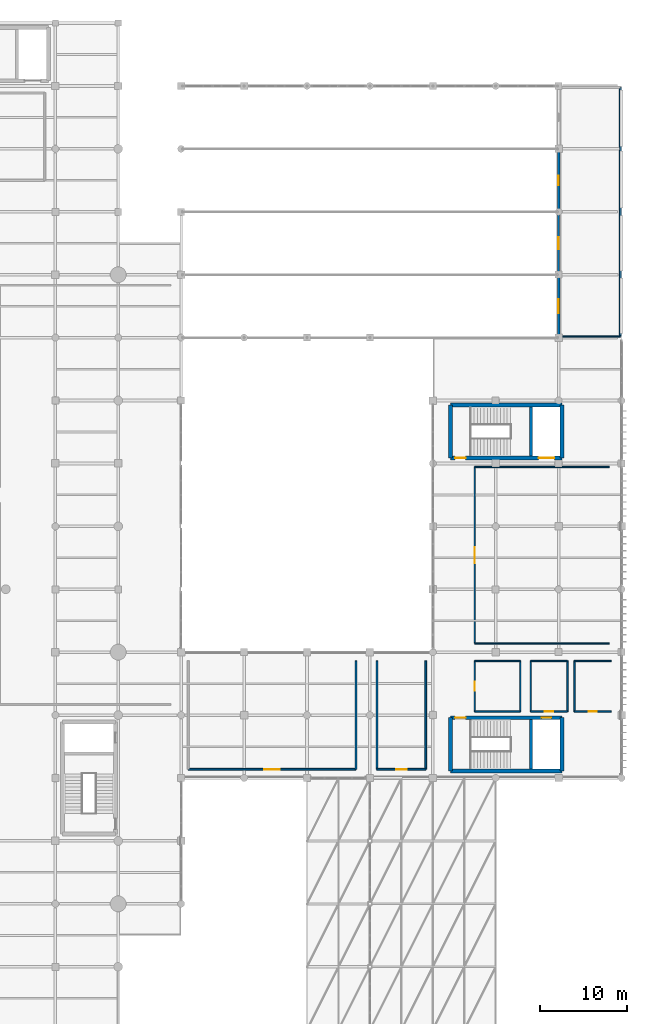
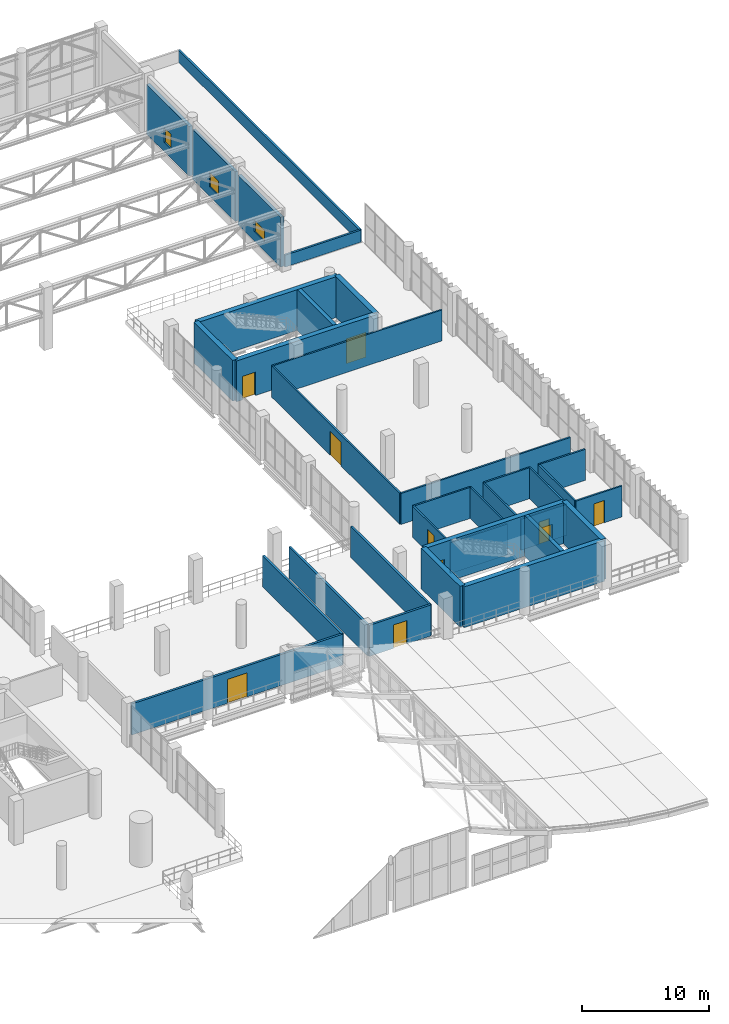
# One storey, part 137 of 153: 34 walls, 10 doors, 3 windows, 13 openings.
"""IFC4 building model written with IfcOpenShell, lengths in metres."""

import ifcopenshell
import ifcopenshell.guid

model = None  # the IFC model being written
_history = None  # IfcOwnerHistory: only IFC2X3 demands one
_inside = {}  # id of a spatial element -> (the spatial element, [elements in it])
_under = {}  # id of a project, library or spatial element -> (it, [spatial elements below it])
_declared = {}  # id of a project -> (the project, [libraries it declares])
_typed = {}  # id of a type object -> (the type object, [elements of that type])
_made_of = {}  # id of a material, layer set ... -> (it, [elements and type objects made of it])


def new_model(schema):
    """Start an empty IFC model of exactly this schema.

    Asked for "IFC4X3", IfcOpenShell would pick the latest addendum, in which some entities
    have other attributes; the version numbers below select the first issue.
    IFC2X3 requires an IfcOwnerHistory on every rooted entity: one is made here for all.
    """
    global model, _history
    if schema == "IFC4X3":
        model = ifcopenshell.file(schema_version=(4, 3, 0, 0))
    else:
        model = ifcopenshell.file(schema=schema)
    _inside.clear()
    _under.clear()
    _declared.clear()
    _typed.clear()
    _made_of.clear()
    _history = None
    if model.schema == "IFC2X3":
        org = make("IfcOrganization", Name="unknown")
        user = make(
            "IfcPersonAndOrganization",
            ThePerson=make("IfcPerson", FamilyName="unknown"),
            TheOrganization=org,
        )
        app = make(
            "IfcApplication",
            ApplicationDeveloper=org,
            Version="unknown",
            ApplicationFullName="unknown",
            ApplicationIdentifier="unknown",
        )
        _history = make(
            "IfcOwnerHistory",
            OwningUser=user,
            OwningApplication=app,
            ChangeAction="ADDED",
            CreationDate=0,
        )
    return model


def make(cls, **values):
    """One entity of the class cls with the attributes given. An attribute that is None is left unset."""
    return model.create_entity(
        cls, **{name: value for name, value in values.items() if value is not None}
    )


def rooted(cls, **values):
    """An entity with a GlobalId (a new one), such as an element, a storey or a relation."""
    return make(cls, GlobalId=ifcopenshell.guid.new(), OwnerHistory=_history, **values)


def si_unit(unit_type, name, prefix=None):
    """IfcSIUnit, for example si_unit("LENGTHUNIT", "METRE", prefix="MILLI")."""
    return make("IfcSIUnit", UnitType=unit_type, Prefix=prefix, Name=name)


def assignment(units):
    """IfcUnitAssignment: the units of a project."""
    return None if units is None else make("IfcUnitAssignment", Units=units)


def point(xyz):
    """IfcCartesianPoint."""
    return None if xyz is None else make("IfcCartesianPoint", Coordinates=xyz)


def direction(xyz):
    """IfcDirection."""
    return None if xyz is None else make("IfcDirection", DirectionRatios=xyz)


def frame(location, z_axis=None, x_axis=None):
    """IfcAxis2Placement3D, a coordinate frame: its origin and axes. An axis left out is left unset."""
    return make(
        "IfcAxis2Placement3D",
        Location=point(location),
        Axis=direction(z_axis),
        RefDirection=direction(x_axis),
    )


def frame_2d(location, x_axis=None):
    """IfcAxis2Placement2D, a coordinate frame in the plane: its origin and x axis."""
    return make(
        "IfcAxis2Placement2D", Location=point(location), RefDirection=direction(x_axis)
    )


def origin():
    """The frame at (0, 0, 0) with its axes left unset."""
    return frame((0.0, 0.0, 0.0))


def place(relative_to, where):
    """IfcLocalPlacement: puts the frame where relative to a parent placement (None: the world)."""
    return make(
        "IfcLocalPlacement", PlacementRelTo=relative_to, RelativePlacement=where
    )


def context(
    kind, dimensions, precision=None, world=None, true_north=None, identifier=None
):
    """IfcGeometricRepresentationContext, for example the 3D "Model" context."""
    return make(
        "IfcGeometricRepresentationContext",
        ContextIdentifier=identifier,
        ContextType=kind,
        CoordinateSpaceDimension=dimensions,
        Precision=precision,
        WorldCoordinateSystem=world,
        TrueNorth=true_north,
    )


def subcontext(parent, identifier, kind, view, scale=None):
    """IfcGeometricRepresentationSubContext, for example "Body" below "Model"."""
    return make(
        "IfcGeometricRepresentationSubContext",
        ContextIdentifier=identifier,
        ContextType=kind,
        ParentContext=parent,
        TargetScale=scale,
        TargetView=view,
    )


def project(units=None, contexts=None):
    """IfcProject with its units and contexts."""
    return rooted(
        "IfcProject",
        Name="project",
        RepresentationContexts=contexts,
        UnitsInContext=assignment(units),
    )


def spatial(cls, under=None, at=None, **own):
    """A site, building, storey or space (cls), placed at a placement, below another one or the project."""
    s = rooted(cls, ObjectPlacement=at, **own)
    if under is not None:
        _under.setdefault(under.id(), (under, []))[1].append(s)
    return s


def profile(cls, at=None, kind="AREA", **sizes):
    """A parametric profile (cls). Its sizes go by their IFC names, for example OverallWidth=200.0."""
    return make(cls, ProfileType=kind, Position=at, **sizes)


def rectangle(**sizes):
    """IfcRectangleProfileDef."""
    return profile("IfcRectangleProfileDef", **sizes)


def extrude(swept, where, along, depth):
    """IfcExtrudedAreaSolid: the profile swept, set in the frame where, extruded along a direction by depth."""
    return make(
        "IfcExtrudedAreaSolid",
        SweptArea=swept,
        Position=where,
        ExtrudedDirection=direction(along),
        Depth=depth,
    )


def shape(context_of_items, identifier, shape_type, items):
    """IfcShapeRepresentation: the items that make up one representation, for example the "Body"."""
    return make(
        "IfcShapeRepresentation",
        ContextOfItems=context_of_items,
        RepresentationIdentifier=identifier,
        RepresentationType=shape_type,
        Items=items,
    )


def material(Name=None, Category=None):
    """IfcMaterial."""
    return make("IfcMaterial", Name=Name, Category=Category)


def layer(
    of_material, thickness, ventilated=None, Name=None, Category=None, Priority=None
):
    """IfcMaterialLayer: one layer of a wall or slab, of a material (None: an air gap)."""
    return make(
        "IfcMaterialLayer",
        Material=of_material,
        LayerThickness=thickness,
        IsVentilated=ventilated,
        Name=Name,
        Category=Category,
        Priority=Priority,
    )


def layer_set(layers, Name=None):
    """IfcMaterialLayerSet."""
    return make("IfcMaterialLayerSet", MaterialLayers=layers, LayerSetName=Name)


def made_of(thing, what):
    """Note that an element or type object is made of a material, layer set ...; save() writes the relation."""
    if what is not None:
        _made_of.setdefault(what.id(), (what, []))[1].append(thing)
    return thing


def type_object(cls, material=None, **own):
    """A type object (cls), such as IfcWallType, which elements share."""
    return made_of(rooted(cls, **own), material)


def element(
    cls,
    number,
    at=None,
    inside=None,
    cuts=None,
    type_object=None,
    material=None,
    context=None,
    identifier="Body",
    shape_type=None,
    held_by="IfcProductDefinitionShape",
    body=None,
    shapes=None,
    **own,
):
    """One element of the class cls, such as IfcWall. Its Tag is "e" and its number.

    at: its placement. inside: the storey or other place that contains it. cuts: it is an
    opening in that element (IfcRelVoidsElement). A single representation is given by context,
    identifier, shape_type and body (its items); several are given by shapes. held_by: the class
    of the entity that holds the representations. save() writes the other relations.
    """
    e = rooted(cls, Tag="e%d" % number, ObjectPlacement=at, **own)
    if body is not None:
        shapes = [shape(context, identifier, shape_type, body)]
    if shapes is not None:
        e.Representation = make(held_by, Representations=shapes)
    if inside is not None:
        _inside.setdefault(inside.id(), (inside, []))[1].append(e)
    if cuts is not None:
        rooted(
            "IfcRelVoidsElement", RelatingBuildingElement=cuts, RelatedOpeningElement=e
        )
    if type_object is not None:
        _typed.setdefault(type_object.id(), (type_object, []))[1].append(e)
    return made_of(e, material)


def fill(opening, filler):
    """IfcRelFillsElement: the door or window that sits in an opening."""
    return rooted(
        "IfcRelFillsElement",
        RelatingOpeningElement=opening,
        RelatedBuildingElement=filler,
    )


def aggregate(whole, parts):
    """IfcRelAggregates: a whole, such as a stair, and the parts it consists of."""
    return rooted("IfcRelAggregates", RelatingObject=whole, RelatedObjects=parts)


def save(model, path):
    """Write the relations noted so far, then the file.

    IfcRelAggregates (storeys below a building ...), IfcRelContainedInSpatialStructure (elements
    in a storey), IfcRelDefinesByType, IfcRelAssociatesMaterial and IfcRelDeclares: one each for
    every whole, place, type object, material and project.
    """
    for whole, parts in _under.values():
        aggregate(whole, parts)
    for where, things in _inside.values():
        rooted(
            "IfcRelContainedInSpatialStructure",
            RelatedElements=things,
            RelatingStructure=where,
        )
    for kind, things in _typed.values():
        rooted("IfcRelDefinesByType", RelatedObjects=things, RelatingType=kind)
    for what, things in _made_of.values():
        rooted("IfcRelAssociatesMaterial", RelatedObjects=things, RelatingMaterial=what)
    for by, libraries in _declared.values():
        rooted("IfcRelDeclares", RelatingContext=by, RelatedDefinitions=libraries)
    model.write(path)


model = new_model("IFC4")

# Units and contexts
model_context = context("Model", 3, precision=1e-05, world=origin(), true_north=direction((0.0, 1.0)))
body_context = subcontext(model_context, "Body", "Model", "MODEL_VIEW")
ifc_project = project(units=[si_unit("LENGTHUNIT", "METRE"), si_unit("AREAUNIT", "SQUARE_METRE"), si_unit("VOLUMEUNIT", "CUBIC_METRE"), si_unit("PLANEANGLEUNIT", "RADIAN"), si_unit("MASSUNIT", "GRAM", prefix="KILO")], contexts=[model_context])

# Site, building, storey
site_placement = place(None, origin())
site = spatial("IfcSite", under=ifc_project, at=site_placement, CompositionType="ELEMENT")
building_placement = place(site_placement, origin())
building = spatial("IfcBuilding", under=site, at=building_placement, Name="Qandorah Velis Arena", CompositionType="ELEMENT")
storey_placement = place(building_placement, frame((0.0, 0.0, 5.39990234375)))
storey = spatial("IfcBuildingStorey", under=building, at=storey_placement, Name="L01", CompositionType="ELEMENT", Elevation=5.39990234375)

# Wall, opening, window
ifc_material_1 = material(Name="Precast concrete C40/50", Category="concrete")
ifc_layer_1 = layer(ifc_material_1, 0.239990234375)
ifc_layer_set_1 = layer_set([ifc_layer_1], Name="Precast concrete C40/50")
wall_type_1 = type_object("IfcWallType", Name="ARC-WAL-EXT240", PredefinedType="SOLIDWALL", material=ifc_layer_set_1)
wall_1_placement = place(storey_placement, frame((165.60009765625, 101.050048828125, 0.0), z_axis=(0.0, 0.0, 1.0), x_axis=(0.0, 1.0, 0.0)))
wall_1 = element("IfcWall", 1, at=wall_1_placement, inside=storey, type_object=wall_type_1, Name="Precast exterior facade wall L01-12", PredefinedType="SOLIDWALL", context=body_context, shape_type="SweptSolid", body=[
    extrude(rectangle(XDim=6.699951171875, YDim=0.239990234375, at=frame_2d((3.35009765625, 0.0))), origin(), (0.0, 0.0, 1.0), 4.780029296875),
])
opening_1_placement = place(wall_1_placement, frame((2.64990234375, 0.0, 0.89990234375)))
opening_1 = element("IfcOpeningElement", 2, at=opening_1_placement, cuts=wall_1, Name="Opening W12", PredefinedType="OPENING", context=body_context, shape_type="SweptSolid", body=[
    extrude(rectangle(XDim=1.39990234375, YDim=1.39990234375, at=frame_2d((0.699951171875, 0.699951171875))), frame((0.0, 0.1298828125, 0.0), z_axis=(0.0, -1.0, 0.0), x_axis=(1.0, 0.0, 0.0)), (0.0, 0.0, 1.0), 0.260009765625),
])
ifc_material_2 = material(Name="Solar-control low-E double glazing", Category="glass")
window_type_1 = type_object("IfcWindowType", Name="ARC-WIN-1400X1400", PartitioningType="SINGLE_PANEL", PredefinedType="WINDOW", material=ifc_material_2)
window_1_placement = place(opening_1_placement, origin())
window_1 = element("IfcWindow", 3, at=window_1_placement, inside=storey, type_object=window_type_1, Name="Exterior low-E window L01-012", OverallHeight=1.39990234375, OverallWidth=1.39990234375, PartitioningType="SINGLE_PANEL", PredefinedType="WINDOW", context=body_context, shape_type="SweptSolid", body=[
    extrude(rectangle(XDim=1.39990234375, YDim=1.39990234375, at=frame_2d((0.699951171875, 0.699951171875))), frame((0.0, 0.030029296875, 0.0), z_axis=(0.0, -1.0, 0.0), x_axis=(1.0, 0.0, 0.0)), (0.0, 0.0, 1.0), 0.06005859375),
])
fill(opening_1, window_1)

ifc_layer_2 = layer(ifc_material_1, 0.2900390625)
ifc_layer_set_2 = layer_set([ifc_layer_2], Name="Precast concrete C40/50")
wall_type_2 = type_object("IfcWallType", Name="ARC-WAL-EXT290", PredefinedType="SOLIDWALL", material=ifc_layer_set_2)
wall_2_placement = place(storey_placement, frame((165.60009765625, 93.85009765625, 0.0), z_axis=(0.0, 0.0, 1.0), x_axis=(0.0, 1.0, 0.0)))
wall_2 = element("IfcWall", 4, at=wall_2_placement, inside=storey, type_object=wall_type_2, Name="Precast exterior facade wall L01-11", PredefinedType="SOLIDWALL", context=body_context, shape_type="SweptSolid", body=[
    extrude(rectangle(XDim=6.699951171875, YDim=0.2900390625, at=frame_2d((3.35009765625, 0.0))), origin(), (0.0, 0.0, 1.0), 4.780029296875),
])
opening_2_placement = place(wall_2_placement, frame((2.550048828125, 0.0, 0.89990234375)))
opening_2 = element("IfcOpeningElement", 5, at=opening_2_placement, cuts=wall_2, Name="Opening W11", PredefinedType="OPENING", context=body_context, shape_type="SweptSolid", body=[
    extrude(rectangle(XDim=1.60009765625, YDim=1.10009765625, at=frame_2d((0.800048828125, 0.550048828125))), frame((0.0, 0.155029296875, 0.0), z_axis=(0.0, -1.0, 0.0), x_axis=(1.0, 0.0, 0.0)), (0.0, 0.0, 1.0), 0.31005859375),
])
window_type_2 = type_object("IfcWindowType", Name="ARC-WIN-1600X1100", PartitioningType="SINGLE_PANEL", PredefinedType="WINDOW", material=ifc_material_2)
window_2_placement = place(opening_2_placement, origin())
window_2 = element("IfcWindow", 6, at=window_2_placement, inside=storey, type_object=window_type_2, Name="Exterior low-E window L01-011", OverallHeight=1.10009765625, OverallWidth=1.60009765625, PartitioningType="SINGLE_PANEL", PredefinedType="WINDOW", context=body_context, shape_type="SweptSolid", body=[
    extrude(rectangle(XDim=1.60009765625, YDim=1.10009765625, at=frame_2d((0.800048828125, 0.550048828125))), frame((0.0, 0.030029296875, 0.0), z_axis=(0.0, -1.0, 0.0), x_axis=(1.0, 0.0, 0.0)), (0.0, 0.0, 1.0), 0.06005859375),
])
fill(opening_2, window_2)

ifc_layer_3 = layer(ifc_material_1, 0.31005859375)
ifc_layer_set_3 = layer_set([ifc_layer_3], Name="Precast concrete C40/50")
wall_type_3 = type_object("IfcWallType", Name="ARC-WAL-EXT310", PredefinedType="SOLIDWALL", material=ifc_layer_set_3)
wall_3_placement = place(storey_placement, frame((165.60009765625, 108.25, 0.0), z_axis=(0.0, 0.0, 1.0), x_axis=(0.0, 1.0, 0.0)))
wall_3 = element("IfcWall", 7, at=wall_3_placement, inside=storey, type_object=wall_type_3, Name="Precast exterior facade wall L01-13", PredefinedType="SOLIDWALL", context=body_context, shape_type="SweptSolid", body=[
    extrude(rectangle(XDim=6.699951171875, YDim=0.31005859375, at=frame_2d((3.35009765625, 0.0))), origin(), (0.0, 0.0, 1.0), 4.780029296875),
])
opening_3_placement = place(wall_3_placement, frame((2.800048828125, 0.0, 0.89990234375)))
opening_3 = element("IfcOpeningElement", 8, at=opening_3_placement, cuts=wall_3, Name="Opening W13", PredefinedType="OPENING", context=body_context, shape_type="SweptSolid", body=[
    extrude(rectangle(XDim=1.10009765625, YDim=1.39990234375, at=frame_2d((0.550048828125, 0.699951171875))), frame((0.0, 0.1650390625, 0.0), z_axis=(0.0, -1.0, 0.0), x_axis=(1.0, 0.0, 0.0)), (0.0, 0.0, 1.0), 0.330078125),
])
window_type_3 = type_object("IfcWindowType", Name="ARC-WIN-1100X1400", PartitioningType="SINGLE_PANEL", PredefinedType="WINDOW", material=ifc_material_2)
window_3_placement = place(opening_3_placement, origin())
window_3 = element("IfcWindow", 9, at=window_3_placement, inside=storey, type_object=window_type_3, Name="Exterior low-E window L01-013", OverallHeight=1.39990234375, OverallWidth=1.10009765625, PartitioningType="SINGLE_PANEL", PredefinedType="WINDOW", context=body_context, shape_type="SweptSolid", body=[
    extrude(rectangle(XDim=1.10009765625, YDim=1.39990234375, at=frame_2d((0.550048828125, 0.699951171875))), frame((0.0, 0.030029296875, 0.0), z_axis=(0.0, -1.0, 0.0), x_axis=(1.0, 0.0, 0.0)), (0.0, 0.0, 1.0), 0.06005859375),
])
fill(opening_3, window_3)

# Wall, opening, door
ifc_material_3 = material(Name="Concrete C35/45", Category="concrete")
ifc_layer_4 = layer(ifc_material_3, 0.199951171875)
ifc_layer_set_4 = layer_set([ifc_layer_4], Name="Concrete C35/45")
wall_type_4 = type_object("IfcWallType", Name="ARC-WAL-FD60-200", PredefinedType="PARTITIONING", material=ifc_layer_set_4)
wall_4_placement = place(storey_placement, frame((123.199951171875, 44.199951171875, 0.0), z_axis=(0.0, 0.0, 1.0), x_axis=(1.0, 0.0, 0.0)))
wall_4 = element("IfcWall", 10, at=wall_4_placement, inside=storey, type_object=wall_type_4, Name="Interior partition L01-KIT-CEN (S)", PredefinedType="PARTITIONING", context=body_context, shape_type="SweptSolid", body=[
    extrude(rectangle(XDim=19.199951171875, YDim=0.199951171875, at=frame_2d((9.60009765625, 0.0))), origin(), (0.0, 0.0, 1.0), 2.97998046875),
])
opening_4_placement = place(wall_4_placement, frame((8.699951171875, 0.0, 0.0)))
opening_4 = element("IfcOpeningElement", 11, at=opening_4_placement, cuts=wall_4, Name="Opening FD1", PredefinedType="OPENING", context=body_context, shape_type="SweptSolid", body=[
    extrude(rectangle(XDim=1.800048828125, YDim=2.300048828125, at=frame_2d((0.89990234375, 1.14990234375))), frame((0.0, 0.10986328125, 0.0), z_axis=(0.0, -1.0, 0.0), x_axis=(1.0, 0.0, 0.0)), (0.0, 0.0, 1.0), 0.219970703125),
])
ifc_material_4 = material(Name="Insulated fire-rated double steel door", Category="steel")
door_type_1 = type_object("IfcDoorType", Name="ARC-DR-FD1800", OperationType="NOTDEFINED", PredefinedType="DOOR", material=ifc_material_4)
door_1_placement = place(opening_4_placement, frame((1.800048828125, 0.0, 0.0), z_axis=(0.0, 0.0, 1.0), x_axis=(-1.0, 0.0, 0.0)))
door_1 = element("IfcDoor", 12, at=door_1_placement, inside=storey, type_object=door_type_1, Name="Door L01-KIT-CEN", OperationType="DOUBLE_DOOR_SINGLE_SWING", OverallHeight=2.300048828125, OverallWidth=1.800048828125, PredefinedType="DOOR", context=body_context, shape_type="SweptSolid", body=[
    extrude(rectangle(XDim=1.800048828125, YDim=2.300048828125, at=frame_2d((0.89990234375, 1.14990234375))), frame((0.0, 0.02490234375, 0.0), z_axis=(0.0, -1.0, 0.0), x_axis=(1.0, 0.0, 0.0)), (0.0, 0.0, 1.0), 0.050048828125),
])
fill(opening_4, door_1)

# Wall
wall_5_placement = place(storey_placement, frame((142.39990234375, 44.199951171875, 0.0), z_axis=(0.0, 0.0, 1.0), x_axis=(0.0, 1.0, 0.0)))
element("IfcWall", 13, at=wall_5_placement, inside=storey, type_object=wall_type_4, Name="Interior partition L01-KIT-CEN (E)", PredefinedType="PARTITIONING", context=body_context, shape_type="SweptSolid", body=[
    extrude(rectangle(XDim=12.400146484375, YDim=0.199951171875, at=frame_2d((6.2001953125, 0.0))), origin(), (0.0, 0.0, 1.0), 2.97998046875),
])

# Wall, opening, door
wall_6_placement = place(storey_placement, frame((144.800048828125, 44.199951171875, 0.0), z_axis=(0.0, 0.0, 1.0), x_axis=(1.0, 0.0, 0.0)))
wall_6 = element("IfcWall", 14, at=wall_6_placement, inside=storey, type_object=wall_type_4, Name="Interior partition L01-KIT-STR (S)", PredefinedType="PARTITIONING", context=body_context, shape_type="SweptSolid", body=[
    extrude(rectangle(XDim=5.599853515625, YDim=0.199951171875, at=frame_2d((2.7998046875, 0.0))), origin(), (0.0, 0.0, 1.0), 2.97998046875),
])
opening_5_placement = place(wall_6_placement, frame((2.199951171875, 0.0, 0.0)))
opening_5 = element("IfcOpeningElement", 15, at=opening_5_placement, cuts=wall_6, Name="Opening FD2", PredefinedType="OPENING", context=body_context, shape_type="SweptSolid", body=[
    extrude(rectangle(XDim=1.199951171875, YDim=2.25, at=frame_2d((0.60009765625, 1.125))), frame((0.0, 0.10986328125, 0.0), z_axis=(0.0, -1.0, 0.0), x_axis=(1.0, 0.0, 0.0)), (0.0, 0.0, 1.0), 0.219970703125),
])
ifc_material_5 = material(Name="Insulated fire-rated single steel door", Category="steel")
door_type_2 = type_object("IfcDoorType", Name="ARC-DR-FD1200", OperationType="NOTDEFINED", PredefinedType="DOOR", material=ifc_material_5)
door_2_placement = place(opening_5_placement, origin())
door_2 = element("IfcDoor", 16, at=door_2_placement, inside=storey, type_object=door_type_2, Name="Door L01-KIT-STR", OperationType="SINGLE_SWING_LEFT", OverallHeight=2.25, OverallWidth=1.199951171875, PredefinedType="DOOR", context=body_context, shape_type="SweptSolid", body=[
    extrude(rectangle(XDim=1.199951171875, YDim=2.25, at=frame_2d((0.60009765625, 1.125))), frame((0.0, 0.02490234375, 0.0), z_axis=(0.0, -1.0, 0.0), x_axis=(1.0, 0.0, 0.0)), (0.0, 0.0, 1.0), 0.050048828125),
])
fill(opening_5, door_2)

# Walls
for number, where, z_axis, x_axis, name in (
    (17, (150.39990234375, 44.199951171875, 0.0), (0.0, 0.0, 1.0), (0.0, 1.0, 0.0), "Interior partition L01-KIT-STR (E)"),
    (18, (144.800048828125, 56.60009765625, 0.0), (0.0, 0.0, 1.0), (0.0, -1.0, 0.0), "Interior partition L01-KIT-STR (W)"),
):
    element("IfcWall", number, at=place(storey_placement, frame(where, z_axis=z_axis, x_axis=x_axis)), inside=storey, type_object=wall_type_4, Name=name, PredefinedType="PARTITIONING", context=body_context, shape_type="SweptSolid", body=[
        extrude(rectangle(XDim=12.400146484375, YDim=0.199951171875, at=frame_2d((6.2001953125, 0.0))), origin(), (0.0, 0.0, 1.0), 2.97998046875),
    ])
ifc_layer_5 = layer(ifc_material_1, 0.179931640625)
ifc_layer_set_5 = layer_set([ifc_layer_5], Name="Precast concrete C40/50")
wall_type_5 = type_object("IfcWallType", Name="ARC-WAL-PAR180", PredefinedType="PARAPET", material=ifc_layer_set_5)
wall_7_placement = place(storey_placement, frame((165.75, 93.75, 0.0), z_axis=(0.0, 0.0, 1.0), x_axis=(1.0, 0.0, 0.0)))
element("IfcWall", 19, at=wall_7_placement, inside=storey, type_object=wall_type_5, Name="Roof perimeter parapet wall PW-16", PredefinedType="PARAPET", context=body_context, shape_type="SweptSolid", body=[
    extrude(rectangle(XDim=6.89990234375, YDim=0.179931640625, at=frame_2d((3.449951171875, 0.0))), origin(), (0.0, 0.0, 1.0), 1.150146484375),
])
wall_8_placement = place(storey_placement, frame((172.64990234375, 93.75, 0.0), z_axis=(0.0, 0.0, 1.0), x_axis=(0.0, 1.0, 0.0)))
element("IfcWall", 20, at=wall_8_placement, inside=storey, type_object=wall_type_5, Name="Roof perimeter parapet wall PW-17", PredefinedType="PARAPET", context=body_context, shape_type="SweptSolid", body=[
    extrude(rectangle(XDim=28.5, YDim=0.179931640625, at=frame_2d((14.25, 0.0))), origin(), (0.0, 0.0, 1.0), 1.150146484375),
])
ifc_layer_6 = layer(ifc_material_3, 0.14990234375)
ifc_layer_set_6 = layer_set([ifc_layer_6], Name="Concrete C35/45")
wall_type_6 = type_object("IfcWallType", Name="ARC-WAL-PART150", PredefinedType="PARTITIONING", material=ifc_layer_set_6)
for number, where, z_axis, x_axis, name in (
    (21, (156.0, 58.60009765625, 0.0), (0.0, 0.0, 1.0), (1.0, 0.0, 0.0), "Interior partition L01-CLB-E (S)"),
    (22, (171.39990234375, 78.800048828125, 0.0), (0.0, 0.0, 1.0), (-1.0, 0.0, 0.0), "Interior partition L01-CLB-E (N)"),
):
    element("IfcWall", number, at=place(storey_placement, frame(where, z_axis=z_axis, x_axis=x_axis)), inside=storey, type_object=wall_type_6, Name=name, PredefinedType="PARTITIONING", context=body_context, shape_type="SweptSolid", body=[
        extrude(rectangle(XDim=15.39990234375, YDim=0.14990234375, at=frame_2d((7.699951171875, 0.0))), origin(), (0.0, 0.0, 1.0), 2.97998046875),
    ])

# Wall, opening, door
wall_9_placement = place(storey_placement, frame((156.0, 78.800048828125, 0.0), z_axis=(0.0, 0.0, 1.0), x_axis=(0.0, -1.0, 0.0)))
wall_9 = element("IfcWall", 23, at=wall_9_placement, inside=storey, type_object=wall_type_6, Name="Interior partition L01-CLB-E (W)", PredefinedType="PARTITIONING", context=body_context, shape_type="SweptSolid", body=[
    extrude(rectangle(XDim=20.199951171875, YDim=0.14990234375, at=frame_2d((10.10009765625, 0.0))), origin(), (0.0, 0.0, 1.0), 2.97998046875),
])
opening_6_placement = place(wall_9_placement, frame((9.199951171875, 0.0, 0.0)))
opening_6 = element("IfcOpeningElement", 24, at=opening_6_placement, cuts=wall_9, Name="Opening D3", PredefinedType="OPENING", context=body_context, shape_type="SweptSolid", body=[
    extrude(rectangle(XDim=1.800048828125, YDim=2.300048828125, at=frame_2d((0.89990234375, 1.14990234375))), frame((0.0, 0.0849609375, 0.0), z_axis=(0.0, -1.0, 0.0), x_axis=(1.0, 0.0, 0.0)), (0.0, 0.0, 1.0), 0.169921875),
])
ifc_material_6 = material(Name="Double-leaf acoustic timber door", Category="wood")
door_type_3 = type_object("IfcDoorType", Name="ARC-DR-DBL1800", OperationType="NOTDEFINED", PredefinedType="DOOR", material=ifc_material_6)
door_3_placement = place(opening_6_placement, origin())
door_3 = element("IfcDoor", 25, at=door_3_placement, inside=storey, type_object=door_type_3, Name="Door L01-CLB-E", OperationType="DOUBLE_DOOR_SINGLE_SWING", OverallHeight=2.300048828125, OverallWidth=1.800048828125, PredefinedType="DOOR", context=body_context, shape_type="SweptSolid", body=[
    extrude(rectangle(XDim=1.800048828125, YDim=2.300048828125, at=frame_2d((0.89990234375, 1.14990234375))), frame((0.0, 0.02490234375, 0.0), z_axis=(0.0, -1.0, 0.0), x_axis=(1.0, 0.0, 0.0)), (0.0, 0.0, 1.0), 0.050048828125),
])
fill(opening_6, door_3)

# Walls
wall_10_placement = place(storey_placement, frame((156.0, 50.800048828125, 0.0), z_axis=(0.0, 0.0, 1.0), x_axis=(1.0, 0.0, 0.0)))
element("IfcWall", 26, at=wall_10_placement, inside=storey, type_object=wall_type_6, Name="Interior partition L01-L01-AWC1 (S)", PredefinedType="PARTITIONING", context=body_context, shape_type="SweptSolid", body=[
    extrude(rectangle(XDim=5.199951171875, YDim=0.14990234375, at=frame_2d((2.60009765625, 0.0))), origin(), (0.0, 0.0, 1.0), 2.97998046875),
])
wall_11_placement = place(storey_placement, frame((161.199951171875, 50.800048828125, 0.0), z_axis=(0.0, 0.0, 1.0), x_axis=(0.0, 1.0, 0.0)))
element("IfcWall", 27, at=wall_11_placement, inside=storey, type_object=wall_type_6, Name="Interior partition L01-L01-AWC1 (E)", PredefinedType="PARTITIONING", context=body_context, shape_type="SweptSolid", body=[
    extrude(rectangle(XDim=5.800048828125, YDim=0.14990234375, at=frame_2d((2.89990234375, 0.0))), origin(), (0.0, 0.0, 1.0), 2.97998046875),
])
wall_12_placement = place(storey_placement, frame((161.199951171875, 56.60009765625, 0.0), z_axis=(0.0, 0.0, 1.0), x_axis=(-1.0, 0.0, 0.0)))
element("IfcWall", 28, at=wall_12_placement, inside=storey, type_object=wall_type_6, Name="Interior partition L01-L01-AWC1 (N)", PredefinedType="PARTITIONING", context=body_context, shape_type="SweptSolid", body=[
    extrude(rectangle(XDim=5.199951171875, YDim=0.14990234375, at=frame_2d((2.60009765625, 0.0))), origin(), (0.0, 0.0, 1.0), 2.97998046875),
])

# Wall, opening, door
wall_13_placement = place(storey_placement, frame((156.0, 56.60009765625, 0.0), z_axis=(0.0, 0.0, 1.0), x_axis=(0.0, -1.0, 0.0)))
wall_13 = element("IfcWall", 29, at=wall_13_placement, inside=storey, type_object=wall_type_6, Name="Interior partition L01-L01-AWC1 (W)", PredefinedType="PARTITIONING", context=body_context, shape_type="SweptSolid", body=[
    extrude(rectangle(XDim=5.800048828125, YDim=0.14990234375, at=frame_2d((2.89990234375, 0.0))), origin(), (0.0, 0.0, 1.0), 2.97998046875),
])
opening_7_placement = place(wall_13_placement, frame((2.375, 0.0, 0.0)))
opening_7 = element("IfcOpeningElement", 30, at=opening_7_placement, cuts=wall_13, Name="Opening D6", PredefinedType="OPENING", context=body_context, shape_type="SweptSolid", body=[
    extrude(rectangle(XDim=1.050048828125, YDim=2.199951171875, at=frame_2d((0.52490234375, 1.10009765625))), frame((0.0, 0.0849609375, 0.0), z_axis=(0.0, -1.0, 0.0), x_axis=(1.0, 0.0, 0.0)), (0.0, 0.0, 1.0), 0.169921875),
])
ifc_material_7 = material(Name="Accessible wide-leaf lever-handle door")
door_type_4 = type_object("IfcDoorType", Name="ARC-DR-ACC1050", OperationType="NOTDEFINED", PredefinedType="DOOR", material=ifc_material_7)
door_4_placement = place(opening_7_placement, frame((1.050048828125, 0.0, 0.0), z_axis=(0.0, 0.0, 1.0), x_axis=(-1.0, 0.0, 0.0)))
door_4 = element("IfcDoor", 31, at=door_4_placement, inside=storey, type_object=door_type_4, Name="Door L01-L01-AWC1", OperationType="SINGLE_SWING_RIGHT", OverallHeight=2.199951171875, OverallWidth=1.050048828125, PredefinedType="DOOR", context=body_context, shape_type="SweptSolid", body=[
    extrude(rectangle(XDim=1.050048828125, YDim=2.199951171875, at=frame_2d((0.52490234375, 1.10009765625))), frame((0.0, 0.02490234375, 0.0), z_axis=(0.0, -1.0, 0.0), x_axis=(1.0, 0.0, 0.0)), (0.0, 0.0, 1.0), 0.050048828125),
])
fill(opening_7, door_4)

wall_14_placement = place(storey_placement, frame((162.39990234375, 50.800048828125, 0.0), z_axis=(0.0, 0.0, 1.0), x_axis=(1.0, 0.0, 0.0)))
wall_14 = element("IfcWall", 32, at=wall_14_placement, inside=storey, type_object=wall_type_6, Name="Interior partition L01-L01-MWC2 (S)", PredefinedType="PARTITIONING", context=body_context, shape_type="SweptSolid", body=[
    extrude(rectangle(XDim=4.2001953125, YDim=0.14990234375, at=frame_2d((2.10009765625, 0.0))), origin(), (0.0, 0.0, 1.0), 2.97998046875),
])
opening_8_placement = place(wall_14_placement, frame((1.625, 0.0, 0.0)))
opening_8 = element("IfcOpeningElement", 33, at=opening_8_placement, cuts=wall_14, Name="Opening D4", PredefinedType="OPENING", context=body_context, shape_type="SweptSolid", body=[
    extrude(rectangle(XDim=0.949951171875, YDim=2.14990234375, at=frame_2d((0.47509765625, 1.074951171875))), frame((0.0, 0.0849609375, 0.0), z_axis=(0.0, -1.0, 0.0), x_axis=(1.0, 0.0, 0.0)), (0.0, 0.0, 1.0), 0.169921875),
])
ifc_material_8 = material(Name="Moisture-resistant laminate door")
door_type_5 = type_object("IfcDoorType", Name="ARC-DR-WC950", OperationType="NOTDEFINED", PredefinedType="DOOR", material=ifc_material_8)
door_5_placement = place(opening_8_placement, origin())
door_5 = element("IfcDoor", 34, at=door_5_placement, inside=storey, type_object=door_type_5, Name="Door L01-L01-MWC2", OperationType="SINGLE_SWING_LEFT", OverallHeight=2.14990234375, OverallWidth=0.949951171875, PredefinedType="DOOR", context=body_context, shape_type="SweptSolid", body=[
    extrude(rectangle(XDim=0.949951171875, YDim=2.14990234375, at=frame_2d((0.47509765625, 1.074951171875))), frame((0.0, 0.02490234375, 0.0), z_axis=(0.0, -1.0, 0.0), x_axis=(1.0, 0.0, 0.0)), (0.0, 0.0, 1.0), 0.050048828125),
])
fill(opening_8, door_5)

# Walls
wall_15_placement = place(storey_placement, frame((166.60009765625, 50.800048828125, 0.0), z_axis=(0.0, 0.0, 1.0), x_axis=(0.0, 1.0, 0.0)))
element("IfcWall", 35, at=wall_15_placement, inside=storey, type_object=wall_type_6, Name="Interior partition L01-L01-MWC2 (E)", PredefinedType="PARTITIONING", context=body_context, shape_type="SweptSolid", body=[
    extrude(rectangle(XDim=5.800048828125, YDim=0.14990234375, at=frame_2d((2.89990234375, 0.0))), origin(), (0.0, 0.0, 1.0), 2.97998046875),
])
wall_16_placement = place(storey_placement, frame((166.60009765625, 56.60009765625, 0.0), z_axis=(0.0, 0.0, 1.0), x_axis=(-1.0, 0.0, 0.0)))
element("IfcWall", 36, at=wall_16_placement, inside=storey, type_object=wall_type_6, Name="Interior partition L01-L01-MWC2 (N)", PredefinedType="PARTITIONING", context=body_context, shape_type="SweptSolid", body=[
    extrude(rectangle(XDim=4.2001953125, YDim=0.14990234375, at=frame_2d((2.10009765625, 0.0))), origin(), (0.0, 0.0, 1.0), 2.97998046875),
])
wall_17_placement = place(storey_placement, frame((162.39990234375, 56.60009765625, 0.0), z_axis=(0.0, 0.0, 1.0), x_axis=(0.0, -1.0, 0.0)))
element("IfcWall", 37, at=wall_17_placement, inside=storey, type_object=wall_type_6, Name="Interior partition L01-L01-MWC2 (W)", PredefinedType="PARTITIONING", context=body_context, shape_type="SweptSolid", body=[
    extrude(rectangle(XDim=5.800048828125, YDim=0.14990234375, at=frame_2d((2.89990234375, 0.0))), origin(), (0.0, 0.0, 1.0), 2.97998046875),
])

# Wall, opening, door
wall_18_placement = place(storey_placement, frame((167.39990234375, 50.800048828125, 0.0), z_axis=(0.0, 0.0, 1.0), x_axis=(1.0, 0.0, 0.0)))
wall_18 = element("IfcWall", 38, at=wall_18_placement, inside=storey, type_object=wall_type_6, Name="Interior partition L01-L01-FWC2 (S)", PredefinedType="PARTITIONING", context=body_context, shape_type="SweptSolid", body=[
    extrude(rectangle(XDim=4.2001953125, YDim=0.14990234375, at=frame_2d((2.10009765625, 0.0))), origin(), (0.0, 0.0, 1.0), 2.97998046875),
])
opening_9_placement = place(wall_18_placement, frame((1.625, 0.0, 0.0)))
opening_9 = element("IfcOpeningElement", 39, at=opening_9_placement, cuts=wall_18, Name="Opening D4", PredefinedType="OPENING", context=body_context, shape_type="SweptSolid", body=[
    extrude(rectangle(XDim=0.949951171875, YDim=2.14990234375, at=frame_2d((0.47509765625, 1.074951171875))), frame((0.0, 0.0849609375, 0.0), z_axis=(0.0, -1.0, 0.0), x_axis=(1.0, 0.0, 0.0)), (0.0, 0.0, 1.0), 0.169921875),
])
door_6_placement = place(opening_9_placement, frame((0.949951171875, 0.0, 0.0), z_axis=(0.0, 0.0, 1.0), x_axis=(-1.0, 0.0, 0.0)))
door_6 = element("IfcDoor", 40, at=door_6_placement, inside=storey, type_object=door_type_5, Name="Door L01-L01-FWC2", OperationType="SINGLE_SWING_RIGHT", OverallHeight=2.14990234375, OverallWidth=0.949951171875, PredefinedType="DOOR", context=body_context, shape_type="SweptSolid", body=[
    extrude(rectangle(XDim=0.949951171875, YDim=2.14990234375, at=frame_2d((0.47509765625, 1.074951171875))), frame((0.0, 0.02490234375, 0.0), z_axis=(0.0, -1.0, 0.0), x_axis=(1.0, 0.0, 0.0)), (0.0, 0.0, 1.0), 0.050048828125),
])
fill(opening_9, door_6)

# Walls
wall_19_placement = place(storey_placement, frame((171.60009765625, 56.60009765625, 0.0), z_axis=(0.0, 0.0, 1.0), x_axis=(-1.0, 0.0, 0.0)))
element("IfcWall", 41, at=wall_19_placement, inside=storey, type_object=wall_type_6, Name="Interior partition L01-L01-FWC2 (N)", PredefinedType="PARTITIONING", context=body_context, shape_type="SweptSolid", body=[
    extrude(rectangle(XDim=4.2001953125, YDim=0.14990234375, at=frame_2d((2.10009765625, 0.0))), origin(), (0.0, 0.0, 1.0), 2.97998046875),
])
wall_20_placement = place(storey_placement, frame((167.39990234375, 56.60009765625, 0.0), z_axis=(0.0, 0.0, 1.0), x_axis=(0.0, -1.0, 0.0)))
element("IfcWall", 42, at=wall_20_placement, inside=storey, type_object=wall_type_6, Name="Interior partition L01-L01-FWC2 (W)", PredefinedType="PARTITIONING", context=body_context, shape_type="SweptSolid", body=[
    extrude(rectangle(XDim=5.800048828125, YDim=0.14990234375, at=frame_2d((2.89990234375, 0.0))), origin(), (0.0, 0.0, 1.0), 2.97998046875),
])
ifc_material_9 = material(Name="Concrete C40/50", Category="concrete")
ifc_layer_7 = layer(ifc_material_9, 0.449951171875)
ifc_layer_set_7 = layer_set([ifc_layer_7], Name="Concrete C40/50")
wall_type_7 = type_object("IfcWallType", Name="STR-WAL-CORE450", PredefinedType="SHEAR", material=ifc_layer_set_7)
wall_21_placement = place(storey_placement, frame((153.199951171875, 44.0, 0.0), z_axis=(0.0, 0.0, 1.0), x_axis=(1.0, 0.0, 0.0)))
element("IfcWall", 43, at=wall_21_placement, inside=storey, type_object=wall_type_7, Name="Core CORE-07 shear wall S (L01)", PredefinedType="SHEAR", context=body_context, shape_type="SweptSolid", body=[
    extrude(rectangle(XDim=12.800048828125, YDim=0.449951171875, at=frame_2d((6.39990234375, 0.0))), origin(), (0.0, 0.0, 1.0), 3.920166015625),
])

# Wall, openings, doors
wall_22_placement = place(storey_placement, frame((153.199951171875, 50.10009765625, 0.0), z_axis=(0.0, 0.0, 1.0), x_axis=(1.0, 0.0, 0.0)))
wall_22 = element("IfcWall", 44, at=wall_22_placement, inside=storey, type_object=wall_type_7, Name="Core CORE-07 shear wall N (L01)", PredefinedType="SHEAR", context=body_context, shape_type="SweptSolid", body=[
    extrude(rectangle(XDim=12.800048828125, YDim=0.449951171875, at=frame_2d((6.39990234375, 0.0))), origin(), (0.0, 0.0, 1.0), 3.920166015625),
])
opening_10_placement = place(wall_22_placement, frame((0.550048828125, 0.0, 0.0)))
opening_10 = element("IfcOpeningElement", 45, at=opening_10_placement, cuts=wall_22, Name="Opening SD1", PredefinedType="OPENING", context=body_context, shape_type="SweptSolid", body=[
    extrude(rectangle(XDim=1.199951171875, YDim=2.25, at=frame_2d((0.60009765625, 1.125))), frame((0.0, 0.23486328125, 0.0), z_axis=(0.0, -1.0, 0.0), x_axis=(1.0, 0.0, 0.0)), (0.0, 0.0, 1.0), 0.469970703125),
])
opening_11_placement = place(wall_22_placement, frame((10.4580078125, 0.0, 0.0)))
opening_11 = element("IfcOpeningElement", 46, at=opening_11_placement, cuts=wall_22, Name="Opening LD1", PredefinedType="OPENING", context=body_context, shape_type="SweptSolid", body=[
    extrude(rectangle(XDim=1.10009765625, YDim=2.199951171875, at=frame_2d((0.550048828125, 1.10009765625))), frame((0.0, 0.23486328125, 0.0), z_axis=(0.0, -1.0, 0.0), x_axis=(1.0, 0.0, 0.0)), (0.0, 0.0, 1.0), 0.469970703125),
])
ifc_material_10 = material(Name="Stainless steel sliding lift landing door", Category="steel")
door_type_6 = type_object("IfcDoorType", Name="ARC-DR-LD1100", OperationType="NOTDEFINED", PredefinedType="DOOR", material=ifc_material_10)
door_7_placement = place(opening_11_placement, origin())
door_7 = element("IfcDoor", 47, at=door_7_placement, inside=storey, type_object=door_type_6, Name="Lift PL5 sliding landing door (L01)", OperationType="SLIDING_TO_LEFT", OverallHeight=2.199951171875, OverallWidth=1.10009765625, PredefinedType="DOOR", context=body_context, shape_type="SweptSolid", body=[
    extrude(rectangle(XDim=1.10009765625, YDim=2.199951171875, at=frame_2d((0.550048828125, 1.10009765625))), frame((0.0, 0.02490234375, 0.0), z_axis=(0.0, -1.0, 0.0), x_axis=(1.0, 0.0, 0.0)), (0.0, 0.0, 1.0), 0.050048828125),
])
fill(opening_11, door_7)
ifc_material_11 = material(Name="Self-closing fire-rated stair steel door", Category="steel")
door_type_7 = type_object("IfcDoorType", Name="ARC-DR-ST1200", OperationType="NOTDEFINED", PredefinedType="DOOR", material=ifc_material_11)
door_8_placement = place(opening_10_placement, frame((1.199951171875, 0.0, 0.0), z_axis=(0.0, 0.0, 1.0), x_axis=(-1.0, 0.0, 0.0)))
door_8 = element("IfcDoor", 48, at=door_8_placement, inside=storey, type_object=door_type_7, Name="Stair ST7 fire door (L01)", OperationType="SINGLE_SWING_RIGHT", OverallHeight=2.25, OverallWidth=1.199951171875, PredefinedType="DOOR", context=body_context, shape_type="SweptSolid", body=[
    extrude(rectangle(XDim=1.199951171875, YDim=2.25, at=frame_2d((0.60009765625, 1.125))), frame((0.0, 0.02490234375, 0.0), z_axis=(0.0, -1.0, 0.0), x_axis=(1.0, 0.0, 0.0)), (0.0, 0.0, 1.0), 0.050048828125),
])
fill(opening_10, door_8)

# Walls
for number, where, z_axis, x_axis, name in (
    (49, (153.199951171875, 44.0, 0.0), (0.0, 0.0, 1.0), (0.0, 1.0, 0.0), "Core CORE-07 shear wall W (L01)"),
    (50, (166.0, 44.0, 0.0), (0.0, 0.0, 1.0), (0.0, 1.0, 0.0), "Core CORE-07 shear wall E (L01)"),
):
    element("IfcWall", number, at=place(storey_placement, frame(where, z_axis=z_axis, x_axis=x_axis)), inside=storey, type_object=wall_type_7, Name=name, PredefinedType="SHEAR", context=body_context, shape_type="SweptSolid", body=[
        extrude(rectangle(XDim=6.10009765625, YDim=0.449951171875, at=frame_2d((3.050048828125, 0.0))), origin(), (0.0, 0.0, 1.0), 3.920166015625),
    ])

# Wall, openings, doors
wall_23_placement = place(storey_placement, frame((153.199951171875, 79.800048828125, 0.0), z_axis=(0.0, 0.0, 1.0), x_axis=(1.0, 0.0, 0.0)))
wall_23 = element("IfcWall", 51, at=wall_23_placement, inside=storey, type_object=wall_type_7, Name="Core CORE-08 shear wall S (L01)", PredefinedType="SHEAR", context=body_context, shape_type="SweptSolid", body=[
    extrude(rectangle(XDim=12.800048828125, YDim=0.449951171875, at=frame_2d((6.39990234375, 0.0))), origin(), (0.0, 0.0, 1.0), 3.920166015625),
])
opening_12_placement = place(wall_23_placement, frame((0.550048828125, 0.0, 0.0)))
opening_12 = element("IfcOpeningElement", 52, at=opening_12_placement, cuts=wall_23, Name="Opening SD1", PredefinedType="OPENING", context=body_context, shape_type="SweptSolid", body=[
    extrude(rectangle(XDim=1.199951171875, YDim=2.25, at=frame_2d((0.60009765625, 1.125))), frame((0.0, 0.23486328125, 0.0), z_axis=(0.0, -1.0, 0.0), x_axis=(1.0, 0.0, 0.0)), (0.0, 0.0, 1.0), 0.469970703125),
])
opening_13_placement = place(wall_23_placement, frame((10.10791015625, 0.0, 0.0)))
opening_13 = element("IfcOpeningElement", 53, at=opening_13_placement, cuts=wall_23, Name="Opening LD3", PredefinedType="OPENING", context=body_context, shape_type="SweptSolid", body=[
    extrude(rectangle(XDim=1.800048828125, YDim=2.39990234375, at=frame_2d((0.89990234375, 1.199951171875))), frame((0.0, 0.23486328125, 0.0), z_axis=(0.0, -1.0, 0.0), x_axis=(1.0, 0.0, 0.0)), (0.0, 0.0, 1.0), 0.469970703125),
])
ifc_material_12 = material(Name="Goods stainless bi-parting lift landing door", Category="steel")
door_type_8 = type_object("IfcDoorType", Name="ARC-DR-LD1800", OperationType="NOTDEFINED", PredefinedType="DOOR", material=ifc_material_12)
door_9_placement = place(opening_13_placement, origin())
door_9 = element("IfcDoor", 54, at=door_9_placement, inside=storey, type_object=door_type_8, Name="Lift GL1 sliding landing door (L01)", OperationType="SLIDING_TO_LEFT", OverallHeight=2.39990234375, OverallWidth=1.800048828125, PredefinedType="DOOR", context=body_context, shape_type="SweptSolid", body=[
    extrude(rectangle(XDim=1.800048828125, YDim=2.39990234375, at=frame_2d((0.89990234375, 1.199951171875))), frame((0.0, 0.02490234375, 0.0), z_axis=(0.0, -1.0, 0.0), x_axis=(1.0, 0.0, 0.0)), (0.0, 0.0, 1.0), 0.050048828125),
])
fill(opening_13, door_9)
door_10_placement = place(opening_12_placement, origin())
door_10 = element("IfcDoor", 55, at=door_10_placement, inside=storey, type_object=door_type_7, Name="Stair ST8 fire door (L01)", OperationType="SINGLE_SWING_LEFT", OverallHeight=2.25, OverallWidth=1.199951171875, PredefinedType="DOOR", context=body_context, shape_type="SweptSolid", body=[
    extrude(rectangle(XDim=1.199951171875, YDim=2.25, at=frame_2d((0.60009765625, 1.125))), frame((0.0, 0.02490234375, 0.0), z_axis=(0.0, -1.0, 0.0), x_axis=(1.0, 0.0, 0.0)), (0.0, 0.0, 1.0), 0.050048828125),
])
fill(opening_12, door_10)

# Walls
wall_24_placement = place(storey_placement, frame((153.199951171875, 85.89990234375, 0.0), z_axis=(0.0, 0.0, 1.0), x_axis=(1.0, 0.0, 0.0)))
element("IfcWall", 56, at=wall_24_placement, inside=storey, type_object=wall_type_7, Name="Core CORE-08 shear wall N (L01)", PredefinedType="SHEAR", context=body_context, shape_type="SweptSolid", body=[
    extrude(rectangle(XDim=12.800048828125, YDim=0.449951171875, at=frame_2d((6.39990234375, 0.0))), origin(), (0.0, 0.0, 1.0), 3.920166015625),
])
for number, where, z_axis, x_axis, name in (
    (57, (153.199951171875, 79.800048828125, 0.0), (0.0, 0.0, 1.0), (0.0, 1.0, 0.0), "Core CORE-08 shear wall W (L01)"),
    (58, (166.0, 79.800048828125, 0.0), (0.0, 0.0, 1.0), (0.0, 1.0, 0.0), "Core CORE-08 shear wall E (L01)"),
):
    element("IfcWall", number, at=place(storey_placement, frame(where, z_axis=z_axis, x_axis=x_axis)), inside=storey, type_object=wall_type_7, Name=name, PredefinedType="SHEAR", context=body_context, shape_type="SweptSolid", body=[
        extrude(rectangle(XDim=6.099853515625, YDim=0.449951171875, at=frame_2d((3.0498046875, 0.0))), origin(), (0.0, 0.0, 1.0), 3.920166015625),
    ])
ifc_layer_8 = layer(ifc_material_9, 0.35009765625)
ifc_layer_set_8 = layer_set([ifc_layer_8], Name="Concrete C40/50")
wall_type_8 = type_object("IfcWallType", Name="STR-WAL-SH350", PredefinedType="SHEAR", material=ifc_layer_set_8)
wall_25_placement = place(storey_placement, frame((162.416015625, 44.22509765625, 0.0), z_axis=(0.0, 0.0, 1.0), x_axis=(0.0, 1.0, 0.0)))
element("IfcWall", 59, at=wall_25_placement, inside=storey, type_object=wall_type_8, Name="Core CORE-07 shaft divider shear wall (L01)", PredefinedType="SHEAR", context=body_context, shape_type="SweptSolid", body=[
    extrude(rectangle(XDim=5.64990234375, YDim=0.35009765625, at=frame_2d((2.824951171875, 0.0))), origin(), (0.0, 0.0, 1.0), 3.920166015625),
])
wall_26_placement = place(storey_placement, frame((162.416015625, 80.02490234375, 0.0), z_axis=(0.0, 0.0, 1.0), x_axis=(0.0, 1.0, 0.0)))
element("IfcWall", 60, at=wall_26_placement, inside=storey, type_object=wall_type_8, Name="Core CORE-08 shaft divider shear wall (L01)", PredefinedType="SHEAR", context=body_context, shape_type="SweptSolid", body=[
    extrude(rectangle(XDim=5.650146484375, YDim=0.35009765625, at=frame_2d((2.8251953125, 0.0))), origin(), (0.0, 0.0, 1.0), 3.920166015625),
])

save(model, "model.ifc")
